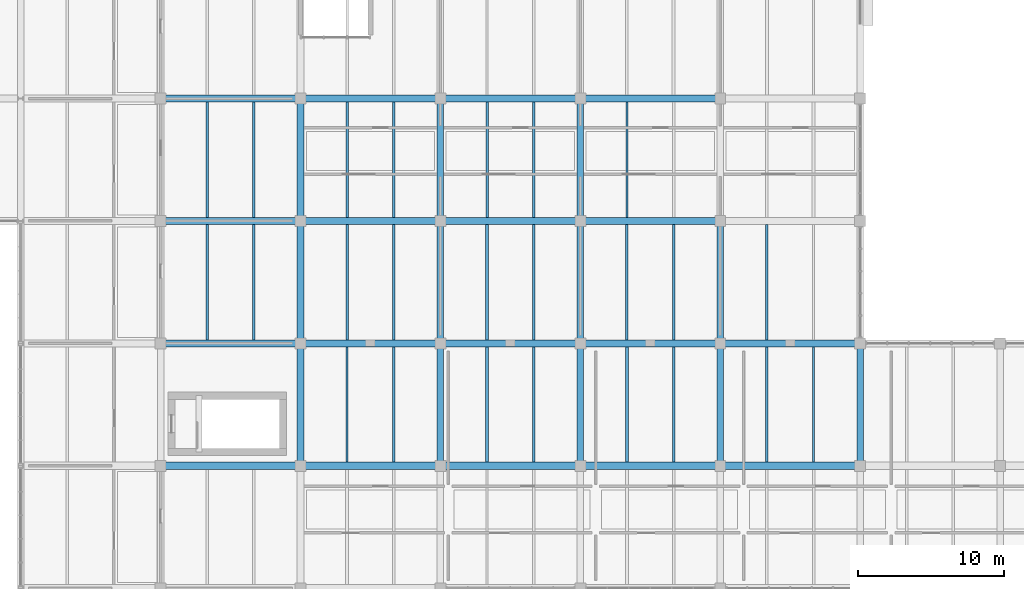
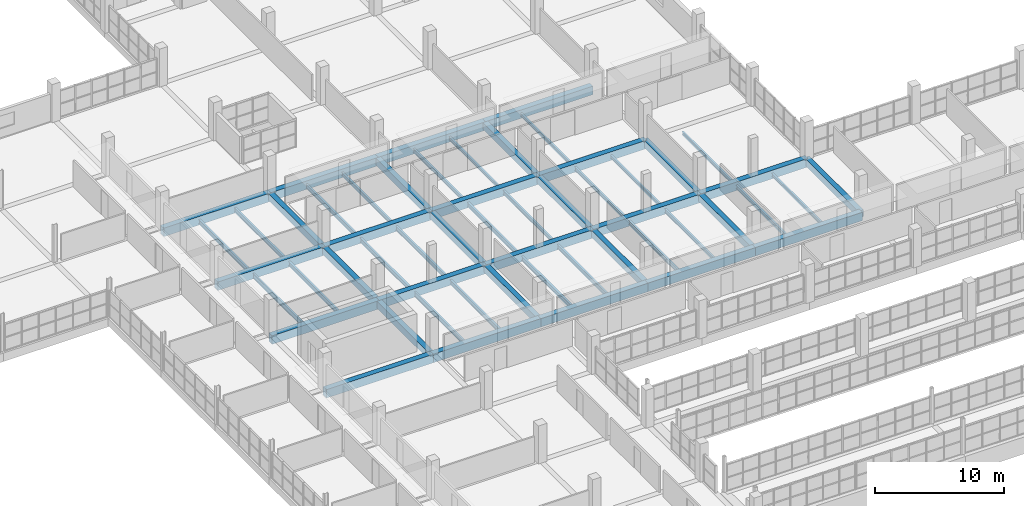
# One storey, part 72 of 147: 54 beams.
"""IFC4 building model written with IfcOpenShell, lengths in metres."""

from ifc_helpers import new_model, si_unit, direction, frame, origin, origin_2d, place, context, subcontext, project, spatial, rectangle, i_section, extrude, material, material_profile, profile_set, type_object, element, save


model = new_model("IFC4")

# Units and contexts
model_context = context("Model", 3, precision=1e-05, world=origin(), true_north=direction((0.0, 1.0)))
body_context = subcontext(model_context, "Body", "Model", "MODEL_VIEW")
ifc_project = project(units=[si_unit("LENGTHUNIT", "METRE"), si_unit("AREAUNIT", "SQUARE_METRE"), si_unit("VOLUMEUNIT", "CUBIC_METRE"), si_unit("PLANEANGLEUNIT", "RADIAN"), si_unit("MASSUNIT", "GRAM", prefix="KILO")], contexts=[model_context])

# Site, building, storey
site_placement = place(None, origin())
site = spatial("IfcSite", under=ifc_project, at=site_placement, CompositionType="ELEMENT")
building_placement = place(site_placement, origin())
building = spatial("IfcBuilding", under=site, at=building_placement, Name="Oolite Switchyard Hospital", CompositionType="ELEMENT")
storey_placement = place(building_placement, frame((0.0, 0.0, 9.89990234375)))
storey = spatial("IfcBuildingStorey", under=building, at=storey_placement, Name="L02", CompositionType="ELEMENT", Elevation=9.89990234375)

# Beams
ifc_material_1 = material(Name="Concrete C40/50", Category="concrete")
ifc_material_profile_1 = material_profile(ifc_material_1, rectangle(XDim=0.449951171875, YDim=0.64990234375, at=origin_2d()), Name="RCB450X650")
ifc_profile_set_1 = profile_set([ifc_material_profile_1], Name="Concrete C40/50")
beam_type_1 = type_object("IfcBeamType", Name="BM-RC450X650", PredefinedType="BEAM", material=ifc_profile_set_1)
beam_1_placement = place(storey_placement, frame((134.39990234375, 67.199951171875, -0.324951171875), z_axis=(0.0, 1.0, 0.0), x_axis=(-1.0, 0.0, 0.0)))
element("IfcBeam", 1, at=beam_1_placement, inside=storey, type_object=beam_type_1, Name="L02 Y-Girder 1406", PredefinedType="BEAM", context=body_context, shape_type="SweptSolid", body=[
    extrude(rectangle(XDim=0.449951171875, YDim=0.64990234375, at=origin_2d()), origin(), (0.0, 0.0, 1.0), 8.400146484375),
])
for number, where, z_axis, x_axis, name in (
    (2, (134.39990234375, 75.60009765625, -0.324951171875), (0.0, 1.0, 0.0), (-1.0, 0.0, 0.0), "L02 Y-Girder 1407"),
    (3, (134.39990234375, 84.0, -0.324951171875), (0.0, 1.0, 0.0), (-1.0, 0.0, 0.0), "L02 Y-Girder 1408"),
):
    element("IfcBeam", number, at=place(storey_placement, frame(where, z_axis=z_axis, x_axis=x_axis)), inside=storey, type_object=beam_type_1, Name=name, PredefinedType="BEAM", context=body_context, shape_type="SweptSolid", body=[
        extrude(rectangle(XDim=0.449951171875, YDim=0.64990234375, at=origin_2d()), origin(), (0.0, 0.0, 1.0), 8.39990234375),
    ])
beam_2_placement = place(storey_placement, frame((144.0, 67.199951171875, -0.324951171875), z_axis=(0.0, 1.0, 0.0), x_axis=(-1.0, 0.0, 0.0)))
element("IfcBeam", 4, at=beam_2_placement, inside=storey, type_object=beam_type_1, Name="L02 Y-Girder 1421", PredefinedType="BEAM", context=body_context, shape_type="SweptSolid", body=[
    extrude(rectangle(XDim=0.449951171875, YDim=0.64990234375, at=origin_2d()), origin(), (0.0, 0.0, 1.0), 8.400146484375),
])
for number, where, z_axis, x_axis, name in (
    (5, (144.0, 75.60009765625, -0.324951171875), (0.0, 1.0, 0.0), (-1.0, 0.0, 0.0), "L02 Y-Girder 1422"),
    (6, (144.0, 84.0, -0.324951171875), (0.0, 1.0, 0.0), (-1.0, 0.0, 0.0), "L02 Y-Girder 1423"),
):
    element("IfcBeam", number, at=place(storey_placement, frame(where, z_axis=z_axis, x_axis=x_axis)), inside=storey, type_object=beam_type_1, Name=name, PredefinedType="BEAM", context=body_context, shape_type="SweptSolid", body=[
        extrude(rectangle(XDim=0.449951171875, YDim=0.64990234375, at=origin_2d()), origin(), (0.0, 0.0, 1.0), 8.39990234375),
    ])
beam_3_placement = place(storey_placement, frame((153.60009765625, 67.199951171875, -0.324951171875), z_axis=(0.0, 1.0, 0.0), x_axis=(-1.0, 0.0, 0.0)))
element("IfcBeam", 7, at=beam_3_placement, inside=storey, type_object=beam_type_1, Name="L02 Y-Girder 1434", PredefinedType="BEAM", context=body_context, shape_type="SweptSolid", body=[
    extrude(rectangle(XDim=0.449951171875, YDim=0.64990234375, at=origin_2d()), origin(), (0.0, 0.0, 1.0), 8.400146484375),
])
for number, where, z_axis, x_axis, name in (
    (8, (153.60009765625, 75.60009765625, -0.324951171875), (0.0, 1.0, 0.0), (-1.0, 0.0, 0.0), "L02 Y-Girder 1435"),
    (9, (153.60009765625, 84.0, -0.324951171875), (0.0, 1.0, 0.0), (-1.0, 0.0, 0.0), "L02 Y-Girder 1436"),
):
    element("IfcBeam", number, at=place(storey_placement, frame(where, z_axis=z_axis, x_axis=x_axis)), inside=storey, type_object=beam_type_1, Name=name, PredefinedType="BEAM", context=body_context, shape_type="SweptSolid", body=[
        extrude(rectangle(XDim=0.449951171875, YDim=0.64990234375, at=origin_2d()), origin(), (0.0, 0.0, 1.0), 8.39990234375),
    ])
beam_4_placement = place(storey_placement, frame((163.199951171875, 67.199951171875, -0.324951171875), z_axis=(0.0, 1.0, 0.0), x_axis=(-1.0, 0.0, 0.0)))
element("IfcBeam", 10, at=beam_4_placement, inside=storey, type_object=beam_type_1, Name="L02 Y-Girder 1446", PredefinedType="BEAM", context=body_context, shape_type="SweptSolid", body=[
    extrude(rectangle(XDim=0.449951171875, YDim=0.64990234375, at=origin_2d()), origin(), (0.0, 0.0, 1.0), 8.400146484375),
])
beam_5_placement = place(storey_placement, frame((163.199951171875, 75.60009765625, -0.324951171875), z_axis=(0.0, 1.0, 0.0), x_axis=(-1.0, 0.0, 0.0)))
element("IfcBeam", 11, at=beam_5_placement, inside=storey, type_object=beam_type_1, Name="L02 Y-Girder 1447", PredefinedType="BEAM", context=body_context, shape_type="SweptSolid", body=[
    extrude(rectangle(XDim=0.449951171875, YDim=0.64990234375, at=origin_2d()), origin(), (0.0, 0.0, 1.0), 8.39990234375),
])
beam_6_placement = place(storey_placement, frame((172.800048828125, 67.199951171875, -0.324951171875), z_axis=(0.0, 1.0, 0.0), x_axis=(-1.0, 0.0, 0.0)))
element("IfcBeam", 12, at=beam_6_placement, inside=storey, type_object=beam_type_1, Name="L02 Y-Girder 1457", PredefinedType="BEAM", context=body_context, shape_type="SweptSolid", body=[
    extrude(rectangle(XDim=0.449951171875, YDim=0.64990234375, at=origin_2d()), origin(), (0.0, 0.0, 1.0), 8.400146484375),
])
ifc_material_profile_2 = material_profile(ifc_material_1, rectangle(XDim=0.5, YDim=0.800048828125, at=origin_2d()), Name="RCB500X800")
ifc_profile_set_2 = profile_set([ifc_material_profile_2], Name="Concrete C40/50")
beam_type_2 = type_object("IfcBeamType", Name="BM-RC500X800", PredefinedType="BEAM", material=ifc_profile_set_2)
beam_7_placement = place(storey_placement, frame((124.800048828125, 67.199951171875, -0.39990234375), z_axis=(1.0, 0.0, 0.0), x_axis=(0.0, 1.0, 0.0)))
element("IfcBeam", 13, at=beam_7_placement, inside=storey, type_object=beam_type_2, Name="L02 X-Girder 1101", PredefinedType="BEAM", context=body_context, shape_type="SweptSolid", body=[
    extrude(rectangle(XDim=0.5, YDim=0.800048828125, at=origin_2d()), origin(), (0.0, 0.0, 1.0), 9.599853515625),
])
for number, where, z_axis, x_axis, name in (
    (14, (134.39990234375, 67.199951171875, -0.39990234375), (1.0, 0.0, 0.0), (0.0, 1.0, 0.0), "L02 X-Girder 1102"),
    (15, (144.0, 67.199951171875, -0.39990234375), (1.0, 0.0, 0.0), (0.0, 1.0, 0.0), "L02 X-Girder 1103"),
):
    element("IfcBeam", number, at=place(storey_placement, frame(where, z_axis=z_axis, x_axis=x_axis)), inside=storey, type_object=beam_type_2, Name=name, PredefinedType="BEAM", context=body_context, shape_type="SweptSolid", body=[
        extrude(rectangle(XDim=0.5, YDim=0.800048828125, at=origin_2d()), origin(), (0.0, 0.0, 1.0), 9.60009765625),
    ])
beam_8_placement = place(storey_placement, frame((153.60009765625, 67.199951171875, -0.39990234375), z_axis=(1.0, 0.0, 0.0), x_axis=(0.0, 1.0, 0.0)))
element("IfcBeam", 16, at=beam_8_placement, inside=storey, type_object=beam_type_2, Name="L02 X-Girder 1104", PredefinedType="BEAM", context=body_context, shape_type="SweptSolid", body=[
    extrude(rectangle(XDim=0.5, YDim=0.800048828125, at=origin_2d()), origin(), (0.0, 0.0, 1.0), 9.599853515625),
])
beam_9_placement = place(storey_placement, frame((163.199951171875, 67.199951171875, -0.39990234375), z_axis=(1.0, 0.0, 0.0), x_axis=(0.0, 1.0, 0.0)))
element("IfcBeam", 17, at=beam_9_placement, inside=storey, type_object=beam_type_2, Name="L02 X-Girder 1105", PredefinedType="BEAM", context=body_context, shape_type="SweptSolid", body=[
    extrude(rectangle(XDim=0.5, YDim=0.800048828125, at=origin_2d()), origin(), (0.0, 0.0, 1.0), 9.60009765625),
])
beam_10_placement = place(storey_placement, frame((124.800048828125, 75.60009765625, -0.39990234375), z_axis=(1.0, 0.0, 0.0), x_axis=(0.0, 1.0, 0.0)))
element("IfcBeam", 18, at=beam_10_placement, inside=storey, type_object=beam_type_2, Name="L02 X-Girder 1117", PredefinedType="BEAM", context=body_context, shape_type="SweptSolid", body=[
    extrude(rectangle(XDim=0.5, YDim=0.800048828125, at=origin_2d()), origin(), (0.0, 0.0, 1.0), 9.599853515625),
])
for number, where, z_axis, x_axis, name in (
    (19, (134.39990234375, 75.60009765625, -0.39990234375), (1.0, 0.0, 0.0), (0.0, 1.0, 0.0), "L02 X-Girder 1118"),
    (20, (144.0, 75.60009765625, -0.39990234375), (1.0, 0.0, 0.0), (0.0, 1.0, 0.0), "L02 X-Girder 1119"),
):
    element("IfcBeam", number, at=place(storey_placement, frame(where, z_axis=z_axis, x_axis=x_axis)), inside=storey, type_object=beam_type_2, Name=name, PredefinedType="BEAM", context=body_context, shape_type="SweptSolid", body=[
        extrude(rectangle(XDim=0.5, YDim=0.800048828125, at=origin_2d()), origin(), (0.0, 0.0, 1.0), 9.60009765625),
    ])
beam_11_placement = place(storey_placement, frame((153.60009765625, 75.60009765625, -0.39990234375), z_axis=(1.0, 0.0, 0.0), x_axis=(0.0, 1.0, 0.0)))
element("IfcBeam", 21, at=beam_11_placement, inside=storey, type_object=beam_type_2, Name="L02 X-Girder 1120", PredefinedType="BEAM", context=body_context, shape_type="SweptSolid", body=[
    extrude(rectangle(XDim=0.5, YDim=0.800048828125, at=origin_2d()), origin(), (0.0, 0.0, 1.0), 9.599853515625),
])
beam_12_placement = place(storey_placement, frame((163.199951171875, 75.60009765625, -0.39990234375), z_axis=(1.0, 0.0, 0.0), x_axis=(0.0, 1.0, 0.0)))
element("IfcBeam", 22, at=beam_12_placement, inside=storey, type_object=beam_type_2, Name="L02 X-Girder 1121", PredefinedType="BEAM", context=body_context, shape_type="SweptSolid", body=[
    extrude(rectangle(XDim=0.5, YDim=0.800048828125, at=origin_2d()), origin(), (0.0, 0.0, 1.0), 9.60009765625),
])
beam_13_placement = place(storey_placement, frame((124.800048828125, 84.0, -0.39990234375), z_axis=(1.0, 0.0, 0.0), x_axis=(0.0, 1.0, 0.0)))
element("IfcBeam", 23, at=beam_13_placement, inside=storey, type_object=beam_type_2, Name="L02 X-Girder 1137", PredefinedType="BEAM", context=body_context, shape_type="SweptSolid", body=[
    extrude(rectangle(XDim=0.5, YDim=0.800048828125, at=origin_2d()), origin(), (0.0, 0.0, 1.0), 9.599853515625),
])
for number, where, z_axis, x_axis, name in (
    (24, (134.39990234375, 84.0, -0.39990234375), (1.0, 0.0, 0.0), (0.0, 1.0, 0.0), "L02 X-Girder 1138"),
    (25, (144.0, 84.0, -0.39990234375), (1.0, 0.0, 0.0), (0.0, 1.0, 0.0), "L02 X-Girder 1139"),
):
    element("IfcBeam", number, at=place(storey_placement, frame(where, z_axis=z_axis, x_axis=x_axis)), inside=storey, type_object=beam_type_2, Name=name, PredefinedType="BEAM", context=body_context, shape_type="SweptSolid", body=[
        extrude(rectangle(XDim=0.5, YDim=0.800048828125, at=origin_2d()), origin(), (0.0, 0.0, 1.0), 9.60009765625),
    ])
for number, where, z_axis, x_axis, name in (
    (26, (153.60009765625, 84.0, -0.39990234375), (1.0, 0.0, 0.0), (0.0, 1.0, 0.0), "L02 X-Girder 1140"),
    (27, (124.800048828125, 92.39990234375, -0.39990234375), (1.0, 0.0, 0.0), (0.0, 1.0, 0.0), "L02 X-Girder 1155"),
):
    element("IfcBeam", number, at=place(storey_placement, frame(where, z_axis=z_axis, x_axis=x_axis)), inside=storey, type_object=beam_type_2, Name=name, PredefinedType="BEAM", context=body_context, shape_type="SweptSolid", body=[
        extrude(rectangle(XDim=0.5, YDim=0.800048828125, at=origin_2d()), origin(), (0.0, 0.0, 1.0), 9.599853515625),
    ])
for number, where, z_axis, x_axis, name in (
    (28, (134.39990234375, 92.39990234375, -0.39990234375), (1.0, 0.0, 0.0), (0.0, 1.0, 0.0), "L02 X-Girder 1156"),
    (29, (144.0, 92.39990234375, -0.39990234375), (1.0, 0.0, 0.0), (0.0, 1.0, 0.0), "L02 X-Girder 1157"),
):
    element("IfcBeam", number, at=place(storey_placement, frame(where, z_axis=z_axis, x_axis=x_axis)), inside=storey, type_object=beam_type_2, Name=name, PredefinedType="BEAM", context=body_context, shape_type="SweptSolid", body=[
        extrude(rectangle(XDim=0.5, YDim=0.800048828125, at=origin_2d()), origin(), (0.0, 0.0, 1.0), 9.60009765625),
    ])
beam_14_placement = place(storey_placement, frame((153.60009765625, 92.39990234375, -0.39990234375), z_axis=(1.0, 0.0, 0.0), x_axis=(0.0, 1.0, 0.0)))
element("IfcBeam", 30, at=beam_14_placement, inside=storey, type_object=beam_type_2, Name="L02 X-Girder 1158", PredefinedType="BEAM", context=body_context, shape_type="SweptSolid", body=[
    extrude(rectangle(XDim=0.5, YDim=0.800048828125, at=origin_2d()), origin(), (0.0, 0.0, 1.0), 9.599853515625),
])
ifc_material_2 = material(Name="Steel ASTM A992 Grade 50", Category="steel")
ifc_material_profile_3 = material_profile(ifc_material_2, i_section(OverallWidth=0.1650390625, OverallDepth=0.31005859375, WebThickness=0.006103515625, FlangeThickness=0.010009765625, at=origin_2d()), Name="W12X26")
ifc_profile_set_3 = profile_set([ifc_material_profile_3], Name="Steel ASTM A992 Grade 50")
beam_type_3 = type_object("IfcBeamType", Name="BM-W12X26", PredefinedType="JOIST", material=ifc_profile_set_3)
for number, where, z_axis, x_axis, name in (
    (31, (150.39990234375, 84.25, -0.414794921875), (0.0, 1.0, 0.0), (-1.0, 0.0, 0.0), "L02 Secondary Steel Joist 1801"),
    (32, (160.0, 75.85009765625, -0.414794921875), (0.0, 1.0, 0.0), (-1.0, 0.0, 0.0), "L02 Secondary Steel Joist 1821"),
    (33, (156.800048828125, 84.25, -0.414794921875), (0.0, 1.0, 0.0), (-1.0, 0.0, 0.0), "L02 Secondary Steel Joist 1822"),
):
    element("IfcBeam", number, at=place(storey_placement, frame(where, z_axis=z_axis, x_axis=x_axis)), inside=storey, type_object=beam_type_3, Name=name, PredefinedType="JOIST", context=body_context, shape_type="SweptSolid", body=[
        extrude(i_section(OverallWidth=0.1650390625, OverallDepth=0.31005859375, WebThickness=0.006103515625, FlangeThickness=0.010009765625, at=origin_2d()), origin(), (0.0, 0.0, 1.0), 7.89990234375),
    ])
beam_15_placement = place(storey_placement, frame((169.60009765625, 67.449951171875, -0.414794921875), z_axis=(0.0, 1.0, 0.0), x_axis=(-1.0, 0.0, 0.0)))
element("IfcBeam", 34, at=beam_15_placement, inside=storey, type_object=beam_type_3, Name="L02 Secondary Steel Joist 1839", PredefinedType="JOIST", context=body_context, shape_type="SweptSolid", body=[
    extrude(i_section(OverallWidth=0.1650390625, OverallDepth=0.31005859375, WebThickness=0.006103515625, FlangeThickness=0.010009765625, at=origin_2d()), origin(), (0.0, 0.0, 1.0), 7.900146484375),
])
beam_16_placement = place(storey_placement, frame((166.39990234375, 75.85009765625, -0.414794921875), z_axis=(0.0, 1.0, 0.0), x_axis=(-1.0, 0.0, 0.0)))
element("IfcBeam", 35, at=beam_16_placement, inside=storey, type_object=beam_type_3, Name="L02 Secondary Steel Joist 1840", PredefinedType="JOIST", context=body_context, shape_type="SweptSolid", body=[
    extrude(i_section(OverallWidth=0.1650390625, OverallDepth=0.31005859375, WebThickness=0.006103515625, FlangeThickness=0.010009765625, at=origin_2d()), origin(), (0.0, 0.0, 1.0), 7.89990234375),
])
ifc_material_profile_4 = material_profile(ifc_material_2, i_section(OverallWidth=0.1708984375, OverallDepth=0.35107421875, WebThickness=0.007080078125, FlangeThickness=0.010009765625, at=origin_2d()), Name="W14X30")
ifc_profile_set_4 = profile_set([ifc_material_profile_4], Name="Steel ASTM A992 Grade 50")
beam_type_4 = type_object("IfcBeamType", Name="BM-W14X30", PredefinedType="JOIST", material=ifc_profile_set_4)
for number, where, z_axis, x_axis, name in (
    (36, (140.800048828125, 84.25, -0.434814453125), (0.0, 1.0, 0.0), (-1.0, 0.0, 0.0), "L02 Secondary Steel Joist 1781"),
    (37, (150.39990234375, 75.85009765625, -0.434814453125), (0.0, 1.0, 0.0), (-1.0, 0.0, 0.0), "L02 Secondary Steel Joist 1799"),
    (38, (147.199951171875, 84.25, -0.434814453125), (0.0, 1.0, 0.0), (-1.0, 0.0, 0.0), "L02 Secondary Steel Joist 1800"),
):
    element("IfcBeam", number, at=place(storey_placement, frame(where, z_axis=z_axis, x_axis=x_axis)), inside=storey, type_object=beam_type_4, Name=name, PredefinedType="JOIST", context=body_context, shape_type="SweptSolid", body=[
        extrude(i_section(OverallWidth=0.1708984375, OverallDepth=0.35107421875, WebThickness=0.007080078125, FlangeThickness=0.010009765625, at=origin_2d()), origin(), (0.0, 0.0, 1.0), 7.89990234375),
    ])
beam_17_placement = place(storey_placement, frame((160.0, 67.449951171875, -0.434814453125), z_axis=(0.0, 1.0, 0.0), x_axis=(-1.0, 0.0, 0.0)))
element("IfcBeam", 39, at=beam_17_placement, inside=storey, type_object=beam_type_4, Name="L02 Secondary Steel Joist 1819", PredefinedType="JOIST", context=body_context, shape_type="SweptSolid", body=[
    extrude(i_section(OverallWidth=0.1708984375, OverallDepth=0.35107421875, WebThickness=0.007080078125, FlangeThickness=0.010009765625, at=origin_2d()), origin(), (0.0, 0.0, 1.0), 7.900146484375),
])
beam_18_placement = place(storey_placement, frame((156.800048828125, 75.85009765625, -0.434814453125), z_axis=(0.0, 1.0, 0.0), x_axis=(-1.0, 0.0, 0.0)))
element("IfcBeam", 40, at=beam_18_placement, inside=storey, type_object=beam_type_4, Name="L02 Secondary Steel Joist 1820", PredefinedType="JOIST", context=body_context, shape_type="SweptSolid", body=[
    extrude(i_section(OverallWidth=0.1708984375, OverallDepth=0.35107421875, WebThickness=0.007080078125, FlangeThickness=0.010009765625, at=origin_2d()), origin(), (0.0, 0.0, 1.0), 7.89990234375),
])
beam_19_placement = place(storey_placement, frame((166.39990234375, 67.449951171875, -0.434814453125), z_axis=(0.0, 1.0, 0.0), x_axis=(-1.0, 0.0, 0.0)))
element("IfcBeam", 41, at=beam_19_placement, inside=storey, type_object=beam_type_4, Name="L02 Secondary Steel Joist 1838", PredefinedType="JOIST", context=body_context, shape_type="SweptSolid", body=[
    extrude(i_section(OverallWidth=0.1708984375, OverallDepth=0.35107421875, WebThickness=0.007080078125, FlangeThickness=0.010009765625, at=origin_2d()), origin(), (0.0, 0.0, 1.0), 7.900146484375),
])
ifc_material_profile_5 = material_profile(ifc_material_2, i_section(OverallWidth=0.177978515625, OverallDepth=0.403076171875, WebThickness=0.008056640625, FlangeThickness=0.010986328125, at=origin_2d()), Name="W16X36")
ifc_profile_set_5 = profile_set([ifc_material_profile_5], Name="Steel ASTM A992 Grade 50")
beam_type_5 = type_object("IfcBeamType", Name="BM-W16X36", PredefinedType="JOIST", material=ifc_profile_set_5)
for number, where, z_axis, x_axis, name in (
    (42, (131.199951171875, 84.25, -0.4609375), (0.0, 1.0, 0.0), (-1.0, 0.0, 0.0), "L02 Secondary Steel Joist 1759"),
    (43, (140.800048828125, 75.85009765625, -0.4609375), (0.0, 1.0, 0.0), (-1.0, 0.0, 0.0), "L02 Secondary Steel Joist 1779"),
    (44, (137.60009765625, 84.25, -0.4609375), (0.0, 1.0, 0.0), (-1.0, 0.0, 0.0), "L02 Secondary Steel Joist 1780"),
):
    element("IfcBeam", number, at=place(storey_placement, frame(where, z_axis=z_axis, x_axis=x_axis)), inside=storey, type_object=beam_type_5, Name=name, PredefinedType="JOIST", context=body_context, shape_type="SweptSolid", body=[
        extrude(i_section(OverallWidth=0.177978515625, OverallDepth=0.403076171875, WebThickness=0.008056640625, FlangeThickness=0.010986328125, at=origin_2d()), origin(), (0.0, 0.0, 1.0), 7.89990234375),
    ])
beam_20_placement = place(storey_placement, frame((150.39990234375, 67.449951171875, -0.4609375), z_axis=(0.0, 1.0, 0.0), x_axis=(-1.0, 0.0, 0.0)))
element("IfcBeam", 45, at=beam_20_placement, inside=storey, type_object=beam_type_5, Name="L02 Secondary Steel Joist 1797", PredefinedType="JOIST", context=body_context, shape_type="SweptSolid", body=[
    extrude(i_section(OverallWidth=0.177978515625, OverallDepth=0.403076171875, WebThickness=0.008056640625, FlangeThickness=0.010986328125, at=origin_2d()), origin(), (0.0, 0.0, 1.0), 7.900146484375),
])
beam_21_placement = place(storey_placement, frame((147.199951171875, 75.85009765625, -0.4609375), z_axis=(0.0, 1.0, 0.0), x_axis=(-1.0, 0.0, 0.0)))
element("IfcBeam", 46, at=beam_21_placement, inside=storey, type_object=beam_type_5, Name="L02 Secondary Steel Joist 1798", PredefinedType="JOIST", context=body_context, shape_type="SweptSolid", body=[
    extrude(i_section(OverallWidth=0.177978515625, OverallDepth=0.403076171875, WebThickness=0.008056640625, FlangeThickness=0.010986328125, at=origin_2d()), origin(), (0.0, 0.0, 1.0), 7.89990234375),
])
beam_22_placement = place(storey_placement, frame((156.800048828125, 67.449951171875, -0.4609375), z_axis=(0.0, 1.0, 0.0), x_axis=(-1.0, 0.0, 0.0)))
element("IfcBeam", 47, at=beam_22_placement, inside=storey, type_object=beam_type_5, Name="L02 Secondary Steel Joist 1818", PredefinedType="JOIST", context=body_context, shape_type="SweptSolid", body=[
    extrude(i_section(OverallWidth=0.177978515625, OverallDepth=0.403076171875, WebThickness=0.008056640625, FlangeThickness=0.010986328125, at=origin_2d()), origin(), (0.0, 0.0, 1.0), 7.900146484375),
])
ifc_material_profile_6 = material_profile(ifc_material_2, i_section(OverallWidth=0.179931640625, OverallDepth=0.4130859375, WebThickness=0.010009765625, FlangeThickness=0.01611328125, at=origin_2d()), Name="W16X50")
ifc_profile_set_6 = profile_set([ifc_material_profile_6], Name="Steel ASTM A992 Grade 50")
beam_type_6 = type_object("IfcBeamType", Name="BM-W16X50", PredefinedType="JOIST", material=ifc_profile_set_6)
for number, where, z_axis, x_axis, name in (
    (48, (131.199951171875, 75.85009765625, -0.4658203125), (0.0, 1.0, 0.0), (-1.0, 0.0, 0.0), "L02 Secondary Steel Joist 1757"),
    (49, (128.0, 84.25, -0.4658203125), (0.0, 1.0, 0.0), (-1.0, 0.0, 0.0), "L02 Secondary Steel Joist 1758"),
):
    element("IfcBeam", number, at=place(storey_placement, frame(where, z_axis=z_axis, x_axis=x_axis)), inside=storey, type_object=beam_type_6, Name=name, PredefinedType="JOIST", context=body_context, shape_type="SweptSolid", body=[
        extrude(i_section(OverallWidth=0.179931640625, OverallDepth=0.4130859375, WebThickness=0.010009765625, FlangeThickness=0.01611328125, at=origin_2d()), origin(), (0.0, 0.0, 1.0), 7.89990234375),
    ])
beam_23_placement = place(storey_placement, frame((140.800048828125, 67.449951171875, -0.4658203125), z_axis=(0.0, 1.0, 0.0), x_axis=(-1.0, 0.0, 0.0)))
element("IfcBeam", 50, at=beam_23_placement, inside=storey, type_object=beam_type_6, Name="L02 Secondary Steel Joist 1777", PredefinedType="JOIST", context=body_context, shape_type="SweptSolid", body=[
    extrude(i_section(OverallWidth=0.179931640625, OverallDepth=0.4130859375, WebThickness=0.010009765625, FlangeThickness=0.01611328125, at=origin_2d()), origin(), (0.0, 0.0, 1.0), 7.900146484375),
])
beam_24_placement = place(storey_placement, frame((137.60009765625, 75.85009765625, -0.4658203125), z_axis=(0.0, 1.0, 0.0), x_axis=(-1.0, 0.0, 0.0)))
element("IfcBeam", 51, at=beam_24_placement, inside=storey, type_object=beam_type_6, Name="L02 Secondary Steel Joist 1778", PredefinedType="JOIST", context=body_context, shape_type="SweptSolid", body=[
    extrude(i_section(OverallWidth=0.179931640625, OverallDepth=0.4130859375, WebThickness=0.010009765625, FlangeThickness=0.01611328125, at=origin_2d()), origin(), (0.0, 0.0, 1.0), 7.89990234375),
])
beam_25_placement = place(storey_placement, frame((147.199951171875, 67.449951171875, -0.4658203125), z_axis=(0.0, 1.0, 0.0), x_axis=(-1.0, 0.0, 0.0)))
element("IfcBeam", 52, at=beam_25_placement, inside=storey, type_object=beam_type_6, Name="L02 Secondary Steel Joist 1796", PredefinedType="JOIST", context=body_context, shape_type="SweptSolid", body=[
    extrude(i_section(OverallWidth=0.179931640625, OverallDepth=0.4130859375, WebThickness=0.010009765625, FlangeThickness=0.01611328125, at=origin_2d()), origin(), (0.0, 0.0, 1.0), 7.900146484375),
])
ifc_material_profile_7 = material_profile(ifc_material_2, i_section(OverallWidth=0.153076171875, OverallDepth=0.455078125, WebThickness=0.008056640625, FlangeThickness=0.012939453125, at=origin_2d()), Name="W18X40")
ifc_profile_set_7 = profile_set([ifc_material_profile_7], Name="Steel ASTM A992 Grade 50")
beam_type_7 = type_object("IfcBeamType", Name="BM-W18X40", PredefinedType="JOIST", material=ifc_profile_set_7)
beam_26_placement = place(storey_placement, frame((128.0, 75.85009765625, -0.48681640625), z_axis=(0.0, 1.0, 0.0), x_axis=(-1.0, 0.0, 0.0)))
element("IfcBeam", 53, at=beam_26_placement, inside=storey, type_object=beam_type_7, Name="L02 Secondary Steel Joist 1756", PredefinedType="JOIST", context=body_context, shape_type="SweptSolid", body=[
    extrude(i_section(OverallWidth=0.153076171875, OverallDepth=0.455078125, WebThickness=0.008056640625, FlangeThickness=0.012939453125, at=origin_2d()), origin(), (0.0, 0.0, 1.0), 7.89990234375),
])
beam_27_placement = place(storey_placement, frame((137.60009765625, 67.449951171875, -0.48681640625), z_axis=(0.0, 1.0, 0.0), x_axis=(-1.0, 0.0, 0.0)))
element("IfcBeam", 54, at=beam_27_placement, inside=storey, type_object=beam_type_7, Name="L02 Secondary Steel Joist 1776", PredefinedType="JOIST", context=body_context, shape_type="SweptSolid", body=[
    extrude(i_section(OverallWidth=0.153076171875, OverallDepth=0.455078125, WebThickness=0.008056640625, FlangeThickness=0.012939453125, at=origin_2d()), origin(), (0.0, 0.0, 1.0), 7.900146484375),
])

save(model, "model.ifc")
